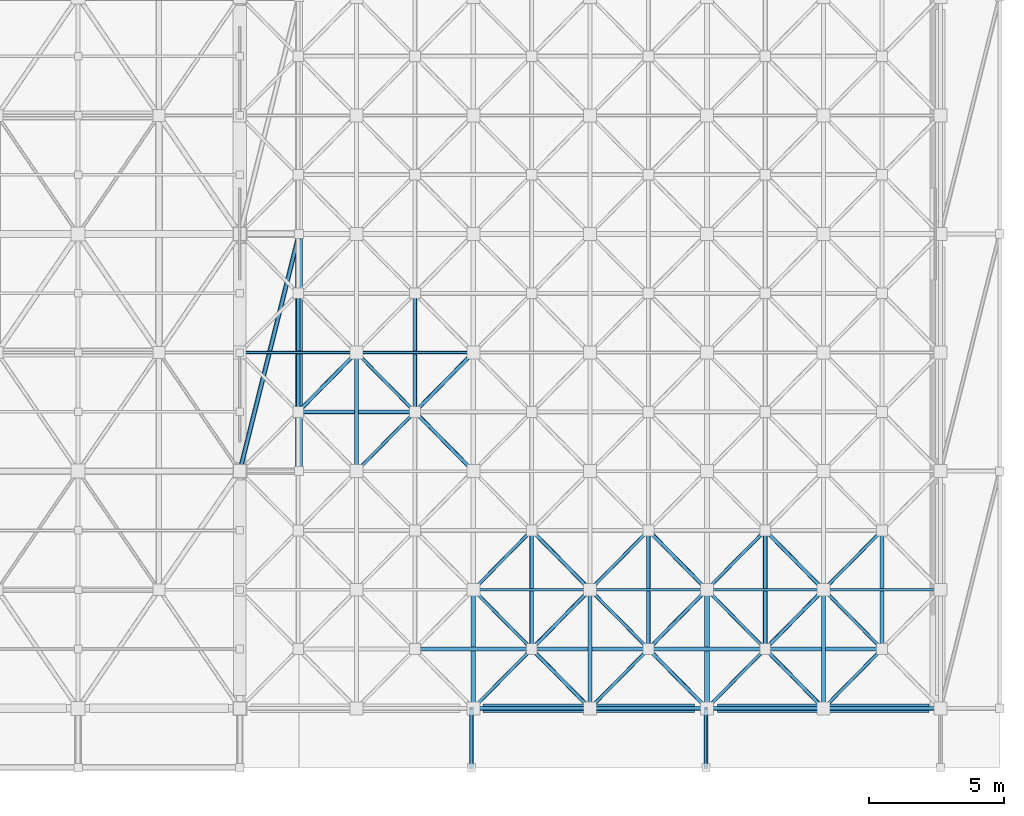
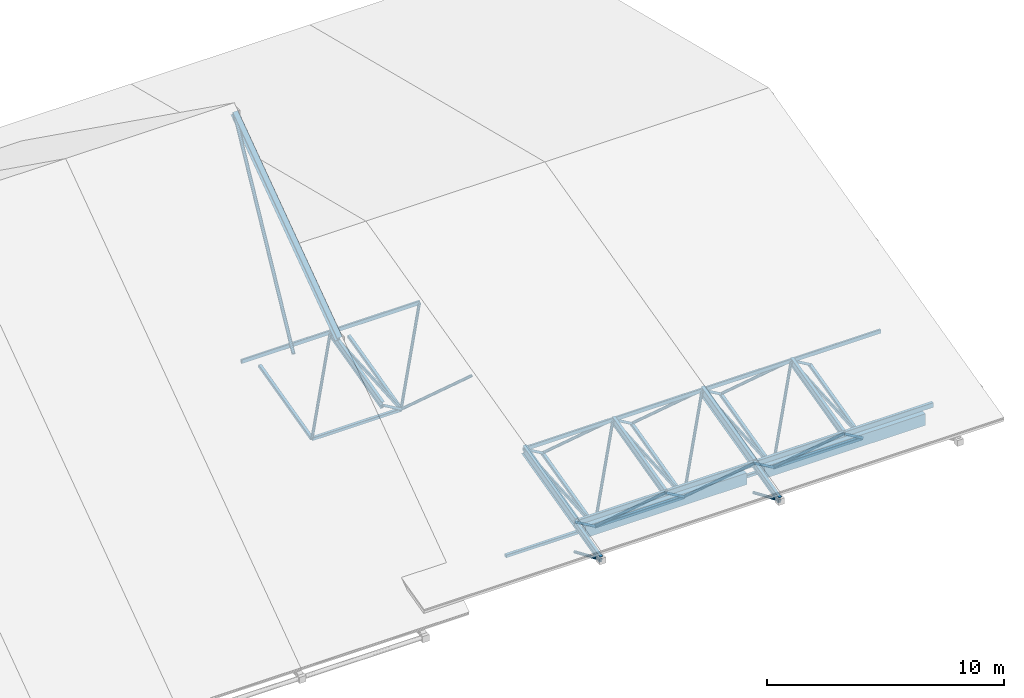
# One storey, part 26 of 55: 58 members, 2 beams.
"""IFC4 building model written with IfcOpenShell, lengths in metres."""

from ifc_helpers import new_model, si_unit, direction, frame, origin, origin_2d, place, context, subcontext, project, spatial, rectangle, hollow_rectangle, hollow_circle, i_section, extrude, material, material_profile, profile_set, type_object, element, save


model = new_model("IFC4")

# Units and contexts
model_context = context("Model", 3, precision=1e-05, world=origin(), true_north=direction((0.0, 1.0)))
body_context = subcontext(model_context, "Body", "Model", "MODEL_VIEW")
ifc_project = project(units=[si_unit("LENGTHUNIT", "METRE"), si_unit("AREAUNIT", "SQUARE_METRE"), si_unit("VOLUMEUNIT", "CUBIC_METRE"), si_unit("PLANEANGLEUNIT", "RADIAN"), si_unit("MASSUNIT", "GRAM", prefix="KILO")], contexts=[model_context])

# Site, building, storey
site_placement = place(None, origin())
site = spatial("IfcSite", under=ifc_project, at=site_placement, CompositionType="ELEMENT")
building_placement = place(site_placement, origin())
building = spatial("IfcBuilding", under=site, at=building_placement, Name="Varnakota Cinema and Media Centre", CompositionType="ELEMENT")
storey_placement = place(building_placement, frame((0.0, 0.0, 15.60009765625)))
storey = spatial("IfcBuildingStorey", under=building, at=storey_placement, Name="L04", CompositionType="ELEMENT", Elevation=15.60009765625)

# Beams
ifc_material_1 = material(Name="Concrete M35", Category="concrete")
ifc_material_profile_1 = material_profile(ifc_material_1, rectangle(XDim=0.300048828125, YDim=0.60009765625, at=origin_2d()), Name="RCB 300x600")
ifc_profile_set_1 = profile_set([ifc_material_profile_1], Name="Concrete M35")
beam_type = type_object("IfcBeamType", Name="BM-SP-300x600", PredefinedType="SPANDREL", material=ifc_profile_set_1)
beam_1_placement = place(storey_placement, frame((144.02490234375, 0.0, -0.300048828125), z_axis=(1.0, 0.0, 0.0), x_axis=(0.0, 1.0, 0.0)))
element("IfcBeam", 1, at=beam_1_placement, inside=storey, type_object=beam_type, Name="L04 girder W-X/1", PredefinedType="SPANDREL", context=body_context, shape_type="SweptSolid", body=[
    extrude(rectangle(XDim=0.300048828125, YDim=0.60009765625, at=origin_2d()), origin(), (0.0, 0.0, 1.0), 7.85009765625),
])
beam_2_placement = place(storey_placement, frame((152.72509765625, 0.0, -0.300048828125), z_axis=(1.0, 0.0, 0.0), x_axis=(0.0, 1.0, 0.0)))
element("IfcBeam", 2, at=beam_2_placement, inside=storey, type_object=beam_type, Name="L04 girder X-Y/1", PredefinedType="SPANDREL", context=body_context, shape_type="SweptSolid", body=[
    extrude(rectangle(XDim=0.300048828125, YDim=0.60009765625, at=origin_2d()), origin(), (0.0, 0.0, 1.0), 7.849853515625),
])

# Members
ifc_material_2 = material(Name="Structural steel S355 (YSt 355)", Category="steel")
ifc_material_profile_2 = material_profile(ifc_material_2, hollow_circle(Radius=0.06982421875, WallThickness=0.006103515625, at=origin_2d()), Name="CHS 139.7x6.0")
ifc_profile_set_2 = profile_set([ifc_material_profile_2], Name="Structural steel S355 (YSt 355)")
member_type_1 = type_object("IfcMemberType", Name="MEM-ST-CHS139_7x6_0", PredefinedType="CHORD", material=ifc_profile_set_2)
member_1_placement = place(storey_placement, frame((137.166748046875, 11.0, 0.14990234375), z_axis=(0.471728090545, 0.479010798276, 0.740284582931), x_axis=(-0.712502351494, 0.701669722246, 0.0)))
element("IfcMember", 3, at=member_1_placement, inside=storey, type_object=member_type_1, Name="V2 space-truss diagonal 1.3.4", PredefinedType="CHORD", context=body_context, shape_type="SweptSolid", body=[
    extrude(hollow_circle(Radius=0.06982421875, WallThickness=0.006103515625, at=origin_2d()), origin(), (0.0, 0.0, 1.0), 4.5927734375),
])
member_2_placement = place(storey_placement, frame((141.5, 11.0, 0.14990234375), z_axis=(0.562747911139, -0.571371428425, 0.597368796714), x_axis=(0.712462822052, 0.701709859695, 0.0)))
element("IfcMember", 4, at=member_2_placement, inside=storey, type_object=member_type_1, Name="V2 space-truss diagonal 2.3.2", PredefinedType="CHORD", context=body_context, shape_type="SweptSolid", body=[
    extrude(hollow_circle(Radius=0.06982421875, WallThickness=0.006103515625, at=origin_2d()), origin(), (0.0, 0.0, 1.0), 3.850341796875),
])
member_3_placement = place(storey_placement, frame((141.5, 11.0, 0.14990234375), z_axis=(0.47176941823, 0.478998786216, 0.74026601896), x_axis=(-0.712462822052, 0.701709859695, 0.0)))
element("IfcMember", 5, at=member_3_placement, inside=storey, type_object=member_type_1, Name="V2 space-truss diagonal 2.3.4", PredefinedType="CHORD", context=body_context, shape_type="SweptSolid", body=[
    extrude(hollow_circle(Radius=0.06982421875, WallThickness=0.006103515625, at=origin_2d()), origin(), (0.0, 0.0, 1.0), 4.5927734375),
])
member_4_placement = place(storey_placement, frame((145.833251953125, 2.199951171875, -2.050048828125), z_axis=(0.562747911139, -0.571371428425, 0.597368796714), x_axis=(0.712462822052, 0.701709859695, 0.0)))
element("IfcMember", 6, at=member_4_placement, inside=storey, type_object=member_type_1, Name="V2 space-truss diagonal 3.1.2", PredefinedType="CHORD", context=body_context, shape_type="SweptSolid", body=[
    extrude(hollow_circle(Radius=0.06982421875, WallThickness=0.006103515625, at=origin_2d()), origin(), (0.0, 0.0, 1.0), 3.850341796875),
])
member_5_placement = place(storey_placement, frame((145.833251953125, 2.199951171875, -2.050048828125), z_axis=(0.47176941823, 0.478998786216, 0.74026601896), x_axis=(-0.712462822052, 0.701709859695, 0.0)))
element("IfcMember", 7, at=member_5_placement, inside=storey, type_object=member_type_1, Name="V2 space-truss diagonal 3.1.4", PredefinedType="CHORD", context=body_context, shape_type="SweptSolid", body=[
    extrude(hollow_circle(Radius=0.06982421875, WallThickness=0.006103515625, at=origin_2d()), origin(), (0.0, 0.0, 1.0), 4.5927734375),
])
member_6_placement = place(storey_placement, frame((145.833251953125, 6.60009765625, -0.9501953125), z_axis=(0.56272752296, -0.571414133737, 0.597347154232), x_axis=(0.712501750553, 0.701670332463, 0.0)))
element("IfcMember", 8, at=member_6_placement, inside=storey, type_object=member_type_1, Name="V2 space-truss diagonal 3.2.2", PredefinedType="CHORD", context=body_context, shape_type="SweptSolid", body=[
    extrude(hollow_circle(Radius=0.06982421875, WallThickness=0.006103515625, at=origin_2d()), origin(), (0.0, 0.0, 1.0), 3.850341796875),
])
member_7_placement = place(storey_placement, frame((150.166748046875, 2.199951171875, -2.050048828125), z_axis=(0.562704581049, -0.571391816523, 0.59739011247), x_axis=(0.712502351494, 0.701669722246, 0.0)))
element("IfcMember", 9, at=member_7_placement, inside=storey, type_object=member_type_1, Name="V2 space-truss diagonal 4.1.2", PredefinedType="CHORD", context=body_context, shape_type="SweptSolid", body=[
    extrude(hollow_circle(Radius=0.06982421875, WallThickness=0.006103515625, at=origin_2d()), origin(), (0.0, 0.0, 1.0), 3.85009765625),
])
member_8_placement = place(storey_placement, frame((150.166748046875, 2.199951171875, -2.050048828125), z_axis=(0.471728090545, 0.479010798276, 0.740284582931), x_axis=(-0.712502351494, 0.701669722246, 0.0)))
element("IfcMember", 10, at=member_8_placement, inside=storey, type_object=member_type_1, Name="V2 space-truss diagonal 4.1.4", PredefinedType="CHORD", context=body_context, shape_type="SweptSolid", body=[
    extrude(hollow_circle(Radius=0.06982421875, WallThickness=0.006103515625, at=origin_2d()), origin(), (0.0, 0.0, 1.0), 4.5927734375),
])
for number, where, z_axis, x_axis, name in (
    (11, (150.166748046875, 6.60009765625, -0.9501953125), (0.562684192985, -0.571434521882, 0.597368467671), (0.7125412777, 0.701630192889, 0.0), "V2 space-truss diagonal 4.2.2"),
    (12, (154.5, 2.199951171875, -2.050048828125), (0.562747911139, -0.571371428425, 0.597368796714), (0.712462822052, 0.701709859695, 0.0), "V2 space-truss diagonal 5.1.2"),
):
    element("IfcMember", number, at=place(storey_placement, frame(where, z_axis=z_axis, x_axis=x_axis)), inside=storey, type_object=member_type_1, Name=name, PredefinedType="CHORD", context=body_context, shape_type="SweptSolid", body=[
        extrude(hollow_circle(Radius=0.06982421875, WallThickness=0.006103515625, at=origin_2d()), origin(), (0.0, 0.0, 1.0), 3.850341796875),
    ])
member_9_placement = place(storey_placement, frame((154.5, 2.199951171875, -2.050048828125), z_axis=(0.47176941823, 0.478998786216, 0.74026601896), x_axis=(-0.712462822052, 0.701709859695, 0.0)))
element("IfcMember", 13, at=member_9_placement, inside=storey, type_object=member_type_1, Name="V2 space-truss diagonal 5.1.4", PredefinedType="CHORD", context=body_context, shape_type="SweptSolid", body=[
    extrude(hollow_circle(Radius=0.06982421875, WallThickness=0.006103515625, at=origin_2d()), origin(), (0.0, 0.0, 1.0), 4.5927734375),
])
member_10_placement = place(storey_placement, frame((154.5, 6.60009765625, -0.9501953125), z_axis=(0.56272752296, -0.571414133737, 0.597347154232), x_axis=(0.712501750553, 0.701670332463, 0.0)))
element("IfcMember", 14, at=member_10_placement, inside=storey, type_object=member_type_1, Name="V2 space-truss diagonal 5.2.2", PredefinedType="CHORD", context=body_context, shape_type="SweptSolid", body=[
    extrude(hollow_circle(Radius=0.06982421875, WallThickness=0.006103515625, at=origin_2d()), origin(), (0.0, 0.0, 1.0), 3.850341796875),
])
for number, where, z_axis, x_axis, name in (
    (15, (143.60009765625, 0.0, -1.25), (0.0, -0.918066567186, 0.396426258231), (1.0, 0.0, 0.0), "V2 S eave raking strut 1"),
    (16, (152.300048828125, 0.0, -1.25), (0.0, -0.918066567186, 0.396426258231), (1.0, 0.0, 0.0), "V2 S eave raking strut 2"),
):
    element("IfcMember", number, at=place(storey_placement, frame(where, z_axis=z_axis, x_axis=x_axis)), inside=storey, type_object=member_type_1, Name=name, PredefinedType="CHORD", context=body_context, shape_type="SweptSolid", body=[
        extrude(hollow_circle(Radius=0.06982421875, WallThickness=0.006103515625, at=origin_2d()), origin(), (0.0, 0.0, 1.0), 2.396240234375),
    ])
ifc_material_3 = material(Name="Structural steel S355 (YSt 355)", Category="steel")
ifc_material_profile_3 = material_profile(ifc_material_3, hollow_circle(Radius=0.084228515625, WallThickness=0.00634765625, at=origin_2d()), Name="CHS 168.3x6.3")
ifc_profile_set_3 = profile_set([ifc_material_profile_3], Name="Structural steel S355 (YSt 355)")
member_type_2 = type_object("IfcMemberType", Name="MEM-ST-CHS168_3x6_3", PredefinedType="BRACE", material=ifc_profile_set_3)
member_11_placement = place(storey_placement, frame((135.0, 8.800048828125, 6.599853515625), z_axis=(0.199197685045, 0.796812846238, 0.570446816401), x_axis=(-0.970144083348, 0.242529292136, 0.0)))
element("IfcMember", 17, at=member_11_placement, inside=storey, type_object=member_type_2, Name="V1 E gable space-frame diagonal 2", PredefinedType="BRACE", context=body_context, shape_type="SweptSolid", body=[
    extrude(hollow_circle(Radius=0.084228515625, WallThickness=0.00634765625, at=origin_2d()), origin(), (0.0, 0.0, 1.0), 11.0439453125),
])
ifc_material_4 = material(Name="Structural steel Grade 350 (E350)", Category="steel")
ifc_material_profile_4 = material_profile(ifc_material_4, i_section(OverallWidth=0.25, OverallDepth=0.300048828125, WebThickness=0.009521484375, FlangeThickness=0.010498046875, FilletRadius=0.010986328125, at=origin_2d()), Name="ISHB 300")
ifc_profile_set_4 = profile_set([ifc_material_profile_4], Name="Structural steel Grade 350 (E350)")
member_type_3 = type_object("IfcMemberType", Name="MEM-ST-ISHB300", PredefinedType="CHORD", material=ifc_profile_set_4)
member_12_placement = place(storey_placement, frame((137.199951171875, 8.800048828125, 6.599853515625), z_axis=(0.0, 0.813108079498, 0.582112747717), x_axis=(-1.0, 0.0, 0.0)))
element("IfcMember", 18, at=member_12_placement, inside=storey, type_object=member_type_3, Name="V1 E gable barge rafter 2", PredefinedType="CHORD", context=body_context, shape_type="SweptSolid", body=[
    extrude(i_section(OverallWidth=0.25, OverallDepth=0.300048828125, WebThickness=0.009521484375, FlangeThickness=0.010498046875, FilletRadius=0.010986328125, at=origin_2d()), origin(), (0.0, 0.0, 1.0), 10.82275390625),
])
ifc_material_5 = material(Name="Structural steel Grade 350 (E350)", Category="steel")
ifc_material_profile_5 = material_profile(ifc_material_5, i_section(OverallWidth=0.139892578125, OverallDepth=0.35009765625, WebThickness=0.008056640625, FlangeThickness=0.01416015625, FilletRadius=0.013916015625, at=origin_2d()), Name="ISMB 350")
ifc_profile_set_5 = profile_set([ifc_material_profile_5], Name="Structural steel Grade 350 (E350)")
member_type_4 = type_object("IfcMemberType", Name="MEM-ST-ISMB350", PredefinedType="RAFTER", material=ifc_profile_set_5)
for number, where, z_axis, x_axis, name in (
    (19, (143.60009765625, 0.0, 0.25), (0.0, -0.970136166796, -0.242560957029), (1.0, 0.0, 0.0), "V2 S eave overhang rafter 1"),
    (20, (152.300048828125, 0.0, 0.25), (0.0, -0.970136166796, -0.242560957029), (1.0, 0.0, 0.0), "V2 S eave overhang rafter 2"),
):
    element("IfcMember", number, at=place(storey_placement, frame(where, z_axis=z_axis, x_axis=x_axis)), inside=storey, type_object=member_type_4, Name=name, PredefinedType="RAFTER", context=body_context, shape_type="SweptSolid", body=[
        extrude(i_section(OverallWidth=0.139892578125, OverallDepth=0.35009765625, WebThickness=0.008056640625, FlangeThickness=0.01416015625, FilletRadius=0.013916015625, at=origin_2d()), origin(), (0.0, 0.0, 1.0), 2.267578125),
    ])
ifc_material_6 = material(Name="Structural steel Grade 350 (E350)", Category="steel")
ifc_material_profile_6 = material_profile(ifc_material_6, i_section(OverallWidth=0.139892578125, OverallDepth=0.39990234375, WebThickness=0.0087890625, FlangeThickness=0.01611328125, FilletRadius=0.013916015625, at=origin_2d()), Name="ISMB 400")
ifc_profile_set_6 = profile_set([ifc_material_profile_6], Name="Structural steel Grade 350 (E350)")
member_type_5 = type_object("IfcMemberType", Name="MEM-ST-ISMB400", PredefinedType="RAFTER", material=ifc_profile_set_6)
for number, where, z_axis, x_axis, name in (
    (21, (139.333251953125, 8.800048828125, 2.449951171875), (0.0, 0.970148832916, 0.242510292547), (-1.0, 0.0, 0.0), "V2 truss rafter 2.3"),
    (22, (148.0, 0.0, 0.25), (0.0, 0.970148832916, 0.242510292547), (-1.0, 0.0, 0.0), "V2 truss rafter 4.1"),
    (23, (156.666748046875, 0.0, 0.25), (0.0, 0.970148832916, 0.242510292547), (-1.0, 0.0, 0.0), "V2 truss rafter 6.1"),
):
    element("IfcMember", number, at=place(storey_placement, frame(where, z_axis=z_axis, x_axis=x_axis)), inside=storey, type_object=member_type_5, Name=name, PredefinedType="RAFTER", context=body_context, shape_type="SweptSolid", body=[
        extrude(i_section(OverallWidth=0.139892578125, OverallDepth=0.39990234375, WebThickness=0.0087890625, FlangeThickness=0.01611328125, FilletRadius=0.013916015625, at=origin_2d()), origin(), (0.0, 0.0, 1.0), 4.535400390625),
    ])
ifc_material_7 = material(Name="Structural steel Grade 350 (E350)", Category="steel")
ifc_material_profile_7 = material_profile(ifc_material_7, i_section(OverallWidth=0.179931640625, OverallDepth=0.5, WebThickness=0.01025390625, FlangeThickness=0.01708984375, FilletRadius=0.01708984375, at=origin_2d()), Name="ISMB 500")
ifc_profile_set_7 = profile_set([ifc_material_profile_7], Name="Structural steel Grade 350 (E350)")
member_type_6 = type_object("IfcMemberType", Name="MEM-ST-ISMB500", PredefinedType="RAFTER", material=ifc_profile_set_7)
for number, where, z_axis, x_axis, name in (
    (24, (143.666748046875, 0.0, 0.25), (0.0, 0.970148832916, 0.242510292547), (-1.0, 0.0, 0.0), "V2 truss rafter 3.1"),
    (25, (152.333251953125, 0.0, 0.25), (0.0, 0.970148832916, 0.242510292547), (-1.0, 0.0, 0.0), "V2 truss rafter 5.1"),
):
    element("IfcMember", number, at=place(storey_placement, frame(where, z_axis=z_axis, x_axis=x_axis)), inside=storey, type_object=member_type_6, Name=name, PredefinedType="RAFTER", context=body_context, shape_type="SweptSolid", body=[
        extrude(i_section(OverallWidth=0.179931640625, OverallDepth=0.5, WebThickness=0.01025390625, FlangeThickness=0.01708984375, FilletRadius=0.01708984375, at=origin_2d()), origin(), (0.0, 0.0, 1.0), 4.535400390625),
    ])
ifc_material_8 = material(Name="Structural steel S355 (YSt 355)", Category="steel")
ifc_material_profile_8 = material_profile(ifc_material_8, hollow_rectangle(XDim=0.10009765625, YDim=0.199951171875, WallThickness=0.006103515625, InnerFilletRadius=0.006103515625, OuterFilletRadius=0.011962890625, at=origin_2d()), Name="RHS 200x100x6")
ifc_profile_set_8 = profile_set([ifc_material_profile_8], Name="Structural steel S355 (YSt 355)")
member_type_7 = type_object("IfcMemberType", Name="MEM-ST-RHS200x100x6", PredefinedType="PURLIN", material=ifc_profile_set_8)
member_13_placement = place(storey_placement, frame((135.0, 13.199951171875, 3.5498046875), z_axis=(1.0, 0.0, 0.0), x_axis=(0.0, 1.0, 0.0)))
element("IfcMember", 26, at=member_13_placement, inside=storey, type_object=member_type_7, Name="V2 top chord 1.4", PredefinedType="PURLIN", context=body_context, shape_type="SweptSolid", body=[
    extrude(hollow_rectangle(XDim=0.10009765625, YDim=0.199951171875, WallThickness=0.006103515625, InnerFilletRadius=0.006103515625, OuterFilletRadius=0.011962890625, at=origin_2d()), origin(), (0.0, 0.0, 1.0), 4.333251953125),
])
member_14_placement = place(storey_placement, frame((139.333251953125, 13.199951171875, 3.5498046875), z_axis=(1.0, 0.0, 0.0), x_axis=(0.0, 1.0, 0.0)))
element("IfcMember", 27, at=member_14_placement, inside=storey, type_object=member_type_7, Name="V2 top chord 2.4", PredefinedType="PURLIN", context=body_context, shape_type="SweptSolid", body=[
    extrude(hollow_rectangle(XDim=0.10009765625, YDim=0.199951171875, WallThickness=0.006103515625, InnerFilletRadius=0.006103515625, OuterFilletRadius=0.011962890625, at=origin_2d()), origin(), (0.0, 0.0, 1.0), 4.33349609375),
])
for number, where, z_axis, x_axis, name in (
    (28, (143.666748046875, 4.39990234375, 1.349853515625), (1.0, 0.0, 0.0), (0.0, 1.0, 0.0), "V2 top chord 3.2"),
    (29, (148.0, 4.39990234375, 1.349853515625), (1.0, 0.0, 0.0), (0.0, 1.0, 0.0), "V2 top chord 4.2"),
):
    element("IfcMember", number, at=place(storey_placement, frame(where, z_axis=z_axis, x_axis=x_axis)), inside=storey, type_object=member_type_7, Name=name, PredefinedType="PURLIN", context=body_context, shape_type="SweptSolid", body=[
        extrude(hollow_rectangle(XDim=0.10009765625, YDim=0.199951171875, WallThickness=0.006103515625, InnerFilletRadius=0.006103515625, OuterFilletRadius=0.011962890625, at=origin_2d()), origin(), (0.0, 0.0, 1.0), 4.333251953125),
    ])
member_15_placement = place(storey_placement, frame((152.333251953125, 4.39990234375, 1.349853515625), z_axis=(1.0, 0.0, 0.0), x_axis=(0.0, 1.0, 0.0)))
element("IfcMember", 30, at=member_15_placement, inside=storey, type_object=member_type_7, Name="V2 top chord 5.2", PredefinedType="PURLIN", context=body_context, shape_type="SweptSolid", body=[
    extrude(hollow_rectangle(XDim=0.10009765625, YDim=0.199951171875, WallThickness=0.006103515625, InnerFilletRadius=0.006103515625, OuterFilletRadius=0.011962890625, at=origin_2d()), origin(), (0.0, 0.0, 1.0), 4.33349609375),
])
member_16_placement = place(storey_placement, frame((156.666748046875, 4.39990234375, 1.349853515625), z_axis=(1.0, 0.0, 0.0), x_axis=(0.0, 1.0, 0.0)))
element("IfcMember", 31, at=member_16_placement, inside=storey, type_object=member_type_7, Name="V2 top chord 6.2", PredefinedType="PURLIN", context=body_context, shape_type="SweptSolid", body=[
    extrude(hollow_rectangle(XDim=0.10009765625, YDim=0.199951171875, WallThickness=0.006103515625, InnerFilletRadius=0.006103515625, OuterFilletRadius=0.011962890625, at=origin_2d()), origin(), (0.0, 0.0, 1.0), 4.333251953125),
])
ifc_material_9 = material(Name="Structural steel S355 (YSt 355)", Category="steel")
ifc_material_profile_9 = material_profile(ifc_material_9, hollow_rectangle(XDim=0.14990234375, YDim=0.25, WallThickness=0.008056640625, InnerFilletRadius=0.008056640625, OuterFilletRadius=0.01611328125, at=origin_2d()), Name="RHS 250x150x8")
ifc_profile_set_9 = profile_set([ifc_material_profile_9], Name="Structural steel S355 (YSt 355)")
member_type_8 = type_object("IfcMemberType", Name="MEM-ST-RHS250x150x8", PredefinedType="PURLIN", material=ifc_profile_set_9)
for number, where, z_axis, x_axis, name in (
    (32, (143.666748046875, 0.0, 0.25), (1.0, 0.0, 0.0), (0.0, 1.0, 0.0), "V2 top chord 3.1"),
    (33, (148.0, 0.0, 0.25), (1.0, 0.0, 0.0), (0.0, 1.0, 0.0), "V2 top chord 4.1"),
):
    element("IfcMember", number, at=place(storey_placement, frame(where, z_axis=z_axis, x_axis=x_axis)), inside=storey, type_object=member_type_8, Name=name, PredefinedType="PURLIN", context=body_context, shape_type="SweptSolid", body=[
        extrude(hollow_rectangle(XDim=0.14990234375, YDim=0.25, WallThickness=0.008056640625, InnerFilletRadius=0.008056640625, OuterFilletRadius=0.01611328125, at=origin_2d()), origin(), (0.0, 0.0, 1.0), 4.333251953125),
    ])
member_17_placement = place(storey_placement, frame((152.333251953125, 0.0, 0.25), z_axis=(1.0, 0.0, 0.0), x_axis=(0.0, 1.0, 0.0)))
element("IfcMember", 34, at=member_17_placement, inside=storey, type_object=member_type_8, Name="V2 top chord 5.1", PredefinedType="PURLIN", context=body_context, shape_type="SweptSolid", body=[
    extrude(hollow_rectangle(XDim=0.14990234375, YDim=0.25, WallThickness=0.008056640625, InnerFilletRadius=0.008056640625, OuterFilletRadius=0.01611328125, at=origin_2d()), origin(), (0.0, 0.0, 1.0), 4.33349609375),
])
member_18_placement = place(storey_placement, frame((156.666748046875, 0.0, 0.25), z_axis=(1.0, 0.0, 0.0), x_axis=(0.0, 1.0, 0.0)))
element("IfcMember", 35, at=member_18_placement, inside=storey, type_object=member_type_8, Name="V2 top chord 6.1", PredefinedType="PURLIN", context=body_context, shape_type="SweptSolid", body=[
    extrude(hollow_rectangle(XDim=0.14990234375, YDim=0.25, WallThickness=0.008056640625, InnerFilletRadius=0.008056640625, OuterFilletRadius=0.01611328125, at=origin_2d()), origin(), (0.0, 0.0, 1.0), 4.333251953125),
])
ifc_material_10 = material(Name="Structural steel S355 (YSt 355)", Category="steel")
ifc_material_profile_10 = material_profile(ifc_material_10, hollow_rectangle(XDim=0.1201171875, YDim=0.1201171875, WallThickness=0.006103515625, InnerFilletRadius=0.006103515625, OuterFilletRadius=0.011962890625, at=origin_2d()), Name="SHS 120x120x6")
ifc_profile_set_10 = profile_set([ifc_material_profile_10], Name="Structural steel S355 (YSt 355)")
member_type_9 = type_object("IfcMemberType", Name="MEM-ST-SHS120x120x6", PredefinedType="STRUT", material=ifc_profile_set_10)
member_19_placement = place(storey_placement, frame((141.5, 11.0, 0.14990234375), z_axis=(-0.562747911139, -0.571371428425, 0.597368796714), x_axis=(0.712462822052, -0.701709859695, 0.0)))
element("IfcMember", 36, at=member_19_placement, inside=storey, type_object=member_type_9, Name="V2 space-truss diagonal 2.3.1", PredefinedType="STRUT", context=body_context, shape_type="SweptSolid", body=[
    extrude(hollow_rectangle(XDim=0.1201171875, YDim=0.1201171875, WallThickness=0.006103515625, InnerFilletRadius=0.006103515625, OuterFilletRadius=0.011962890625, at=origin_2d()), origin(), (0.0, 0.0, 1.0), 3.850341796875),
])
member_20_placement = place(storey_placement, frame((141.5, 11.0, 0.14990234375), z_axis=(-0.47176941823, 0.478998786216, 0.74026601896), x_axis=(-0.712462822052, -0.701709859695, 0.0)))
element("IfcMember", 37, at=member_20_placement, inside=storey, type_object=member_type_9, Name="V2 space-truss diagonal 2.3.3", PredefinedType="STRUT", context=body_context, shape_type="SweptSolid", body=[
    extrude(hollow_rectangle(XDim=0.1201171875, YDim=0.1201171875, WallThickness=0.006103515625, InnerFilletRadius=0.006103515625, OuterFilletRadius=0.011962890625, at=origin_2d()), origin(), (0.0, 0.0, 1.0), 4.5927734375),
])
member_21_placement = place(storey_placement, frame((145.833251953125, 2.199951171875, -2.050048828125), z_axis=(-0.562704581049, -0.571391816523, 0.59739011247), x_axis=(0.712502351494, -0.701669722246, 0.0)))
element("IfcMember", 38, at=member_21_placement, inside=storey, type_object=member_type_9, Name="V2 space-truss diagonal 3.1.1", PredefinedType="STRUT", context=body_context, shape_type="SweptSolid", body=[
    extrude(hollow_rectangle(XDim=0.1201171875, YDim=0.1201171875, WallThickness=0.006103515625, InnerFilletRadius=0.006103515625, OuterFilletRadius=0.011962890625, at=origin_2d()), origin(), (0.0, 0.0, 1.0), 3.85009765625),
])
member_22_placement = place(storey_placement, frame((145.833251953125, 2.199951171875, -2.050048828125), z_axis=(-0.471728090545, 0.479010798276, 0.740284582931), x_axis=(-0.712502351494, -0.701669722246, 0.0)))
element("IfcMember", 39, at=member_22_placement, inside=storey, type_object=member_type_9, Name="V2 space-truss diagonal 3.1.3", PredefinedType="STRUT", context=body_context, shape_type="SweptSolid", body=[
    extrude(hollow_rectangle(XDim=0.1201171875, YDim=0.1201171875, WallThickness=0.006103515625, InnerFilletRadius=0.006103515625, OuterFilletRadius=0.011962890625, at=origin_2d()), origin(), (0.0, 0.0, 1.0), 4.5927734375),
])
for number, where, z_axis, x_axis, name in (
    (40, (145.833251953125, 6.60009765625, -0.9501953125), (-0.562684192985, -0.571434521882, 0.597368467671), (0.7125412777, -0.701630192889, 0.0), "V2 space-truss diagonal 3.2.1"),
    (41, (150.166748046875, 2.199951171875, -2.050048828125), (-0.562747911139, -0.571371428425, 0.597368796714), (0.712462822052, -0.701709859695, 0.0), "V2 space-truss diagonal 4.1.1"),
):
    element("IfcMember", number, at=place(storey_placement, frame(where, z_axis=z_axis, x_axis=x_axis)), inside=storey, type_object=member_type_9, Name=name, PredefinedType="STRUT", context=body_context, shape_type="SweptSolid", body=[
        extrude(hollow_rectangle(XDim=0.1201171875, YDim=0.1201171875, WallThickness=0.006103515625, InnerFilletRadius=0.006103515625, OuterFilletRadius=0.011962890625, at=origin_2d()), origin(), (0.0, 0.0, 1.0), 3.850341796875),
    ])
member_23_placement = place(storey_placement, frame((150.166748046875, 2.199951171875, -2.050048828125), z_axis=(-0.47176941823, 0.478998786216, 0.74026601896), x_axis=(-0.712462822052, -0.701709859695, 0.0)))
element("IfcMember", 42, at=member_23_placement, inside=storey, type_object=member_type_9, Name="V2 space-truss diagonal 4.1.3", PredefinedType="STRUT", context=body_context, shape_type="SweptSolid", body=[
    extrude(hollow_rectangle(XDim=0.1201171875, YDim=0.1201171875, WallThickness=0.006103515625, InnerFilletRadius=0.006103515625, OuterFilletRadius=0.011962890625, at=origin_2d()), origin(), (0.0, 0.0, 1.0), 4.5927734375),
])
for number, where, z_axis, x_axis, name in (
    (43, (150.166748046875, 6.60009765625, -0.9501953125), (-0.56272752296, -0.571414133737, 0.597347154232), (0.712501750553, -0.701670332463, 0.0), "V2 space-truss diagonal 4.2.1"),
    (44, (154.5, 2.199951171875, -2.050048828125), (-0.562747911139, -0.571371428425, 0.597368796714), (0.712462822052, -0.701709859695, 0.0), "V2 space-truss diagonal 5.1.1"),
):
    element("IfcMember", number, at=place(storey_placement, frame(where, z_axis=z_axis, x_axis=x_axis)), inside=storey, type_object=member_type_9, Name=name, PredefinedType="STRUT", context=body_context, shape_type="SweptSolid", body=[
        extrude(hollow_rectangle(XDim=0.1201171875, YDim=0.1201171875, WallThickness=0.006103515625, InnerFilletRadius=0.006103515625, OuterFilletRadius=0.011962890625, at=origin_2d()), origin(), (0.0, 0.0, 1.0), 3.850341796875),
    ])
member_24_placement = place(storey_placement, frame((154.5, 2.199951171875, -2.050048828125), z_axis=(-0.47176941823, 0.478998786216, 0.74026601896), x_axis=(-0.712462822052, -0.701709859695, 0.0)))
element("IfcMember", 45, at=member_24_placement, inside=storey, type_object=member_type_9, Name="V2 space-truss diagonal 5.1.3", PredefinedType="STRUT", context=body_context, shape_type="SweptSolid", body=[
    extrude(hollow_rectangle(XDim=0.1201171875, YDim=0.1201171875, WallThickness=0.006103515625, InnerFilletRadius=0.006103515625, OuterFilletRadius=0.011962890625, at=origin_2d()), origin(), (0.0, 0.0, 1.0), 4.5927734375),
])
member_25_placement = place(storey_placement, frame((154.5, 6.60009765625, -0.9501953125), z_axis=(-0.56272752296, -0.571414133737, 0.597347154232), x_axis=(0.712501750553, -0.701670332463, 0.0)))
element("IfcMember", 46, at=member_25_placement, inside=storey, type_object=member_type_9, Name="V2 space-truss diagonal 5.2.1", PredefinedType="STRUT", context=body_context, shape_type="SweptSolid", body=[
    extrude(hollow_rectangle(XDim=0.1201171875, YDim=0.1201171875, WallThickness=0.006103515625, InnerFilletRadius=0.006103515625, OuterFilletRadius=0.011962890625, at=origin_2d()), origin(), (0.0, 0.0, 1.0), 3.850341796875),
])
member_26_placement = place(storey_placement, frame((158.833251953125, 2.199951171875, -2.050048828125), z_axis=(-0.562704581049, -0.571391816523, 0.59739011247), x_axis=(0.712502351494, -0.701669722246, 0.0)))
element("IfcMember", 47, at=member_26_placement, inside=storey, type_object=member_type_9, Name="V2 space-truss diagonal 6.1.1", PredefinedType="STRUT", context=body_context, shape_type="SweptSolid", body=[
    extrude(hollow_rectangle(XDim=0.1201171875, YDim=0.1201171875, WallThickness=0.006103515625, InnerFilletRadius=0.006103515625, OuterFilletRadius=0.011962890625, at=origin_2d()), origin(), (0.0, 0.0, 1.0), 3.85009765625),
])
member_27_placement = place(storey_placement, frame((158.833251953125, 2.199951171875, -2.050048828125), z_axis=(-0.471728090545, 0.479010798276, 0.740284582931), x_axis=(-0.712502351494, -0.701669722246, 0.0)))
element("IfcMember", 48, at=member_27_placement, inside=storey, type_object=member_type_9, Name="V2 space-truss diagonal 6.1.3", PredefinedType="STRUT", context=body_context, shape_type="SweptSolid", body=[
    extrude(hollow_rectangle(XDim=0.1201171875, YDim=0.1201171875, WallThickness=0.006103515625, InnerFilletRadius=0.006103515625, OuterFilletRadius=0.011962890625, at=origin_2d()), origin(), (0.0, 0.0, 1.0), 4.5927734375),
])
member_28_placement = place(storey_placement, frame((158.833251953125, 6.60009765625, -0.9501953125), z_axis=(-0.562684192985, -0.571434521882, 0.597368467671), x_axis=(0.7125412777, -0.701630192889, 0.0)))
element("IfcMember", 49, at=member_28_placement, inside=storey, type_object=member_type_9, Name="V2 space-truss diagonal 6.2.1", PredefinedType="STRUT", context=body_context, shape_type="SweptSolid", body=[
    extrude(hollow_rectangle(XDim=0.1201171875, YDim=0.1201171875, WallThickness=0.006103515625, InnerFilletRadius=0.006103515625, OuterFilletRadius=0.011962890625, at=origin_2d()), origin(), (0.0, 0.0, 1.0), 3.850341796875),
])
ifc_material_11 = material(Name="Structural steel S355 (YSt 355)", Category="steel")
ifc_material_profile_11 = material_profile(ifc_material_11, hollow_rectangle(XDim=0.14990234375, YDim=0.14990234375, WallThickness=0.008056640625, InnerFilletRadius=0.008056640625, OuterFilletRadius=0.01611328125, at=origin_2d()), Name="SHS 150x150x8")
ifc_profile_set_11 = profile_set([ifc_material_profile_11], Name="Structural steel S355 (YSt 355)")
member_type_10 = type_object("IfcMemberType", Name="MEM-ST-SHS150x150x8", PredefinedType="STRUT", material=ifc_profile_set_11)
for number, where, z_axis, x_axis, name in (
    (50, (137.166748046875, 11.0, 0.14990234375), (1.0, 0.0, 0.0), (0.0, 1.0, 0.0), "V2 bottom longitudinal chord 1.3"),
    (51, (141.5, 2.199951171875, -2.050048828125), (1.0, 0.0, 0.0), (0.0, 1.0, 0.0), "V2 bottom longitudinal chord 2.1"),
):
    element("IfcMember", number, at=place(storey_placement, frame(where, z_axis=z_axis, x_axis=x_axis)), inside=storey, type_object=member_type_10, Name=name, PredefinedType="STRUT", context=body_context, shape_type="SweptSolid", body=[
        extrude(hollow_rectangle(XDim=0.14990234375, YDim=0.14990234375, WallThickness=0.008056640625, InnerFilletRadius=0.008056640625, OuterFilletRadius=0.01611328125, at=origin_2d()), origin(), (0.0, 0.0, 1.0), 4.333251953125),
    ])
member_29_placement = place(storey_placement, frame((145.833251953125, 2.199951171875, -2.050048828125), z_axis=(1.0, 0.0, 0.0), x_axis=(0.0, 1.0, 0.0)))
element("IfcMember", 52, at=member_29_placement, inside=storey, type_object=member_type_10, Name="V2 bottom longitudinal chord 3.1", PredefinedType="STRUT", context=body_context, shape_type="SweptSolid", body=[
    extrude(hollow_rectangle(XDim=0.14990234375, YDim=0.14990234375, WallThickness=0.008056640625, InnerFilletRadius=0.008056640625, OuterFilletRadius=0.01611328125, at=origin_2d()), origin(), (0.0, 0.0, 1.0), 4.33349609375),
])
for number, where, z_axis, x_axis, name in (
    (53, (150.166748046875, 2.199951171875, -2.050048828125), (1.0, 0.0, 0.0), (0.0, 1.0, 0.0), "V2 bottom longitudinal chord 4.1"),
    (54, (154.5, 2.199951171875, -2.050048828125), (1.0, 0.0, 0.0), (0.0, 1.0, 0.0), "V2 bottom longitudinal chord 5.1"),
):
    element("IfcMember", number, at=place(storey_placement, frame(where, z_axis=z_axis, x_axis=x_axis)), inside=storey, type_object=member_type_10, Name=name, PredefinedType="STRUT", context=body_context, shape_type="SweptSolid", body=[
        extrude(hollow_rectangle(XDim=0.14990234375, YDim=0.14990234375, WallThickness=0.008056640625, InnerFilletRadius=0.008056640625, OuterFilletRadius=0.01611328125, at=origin_2d()), origin(), (0.0, 0.0, 1.0), 4.333251953125),
    ])
for number, where, z_axis, x_axis, name in (
    (55, (137.166748046875, 11.0, 0.14990234375), (0.0, 0.970136166796, 0.242560957029), (-1.0, 0.0, 0.0), "V2 bottom transverse chord 1.3"),
    (56, (141.5, 11.0, 0.14990234375), (0.0, 0.970136166796, 0.242560957029), (-1.0, 0.0, 0.0), "V2 bottom transverse chord 2.3"),
):
    element("IfcMember", number, at=place(storey_placement, frame(where, z_axis=z_axis, x_axis=x_axis)), inside=storey, type_object=member_type_10, Name=name, PredefinedType="STRUT", context=body_context, shape_type="SweptSolid", body=[
        extrude(hollow_rectangle(XDim=0.14990234375, YDim=0.14990234375, WallThickness=0.008056640625, InnerFilletRadius=0.008056640625, OuterFilletRadius=0.01611328125, at=origin_2d()), origin(), (0.0, 0.0, 1.0), 4.535400390625),
    ])
for number, where, z_axis, x_axis, name in (
    (57, (145.833251953125, 2.199951171875, -2.050048828125), (0.0, 0.970151998558, 0.242497628225), (-1.0, 0.0, 0.0), "V2 bottom transverse chord 3.1"),
    (58, (150.166748046875, 2.199951171875, -2.050048828125), (0.0, 0.970151998558, 0.242497628225), (-1.0, 0.0, 0.0), "V2 bottom transverse chord 4.1"),
    (59, (154.5, 2.199951171875, -2.050048828125), (0.0, 0.970151998558, 0.242497628225), (-1.0, 0.0, 0.0), "V2 bottom transverse chord 5.1"),
    (60, (158.833251953125, 2.199951171875, -2.050048828125), (0.0, 0.970151998558, 0.242497628225), (-1.0, 0.0, 0.0), "V2 bottom transverse chord 6.1"),
):
    element("IfcMember", number, at=place(storey_placement, frame(where, z_axis=z_axis, x_axis=x_axis)), inside=storey, type_object=member_type_10, Name=name, PredefinedType="STRUT", context=body_context, shape_type="SweptSolid", body=[
        extrude(hollow_rectangle(XDim=0.14990234375, YDim=0.14990234375, WallThickness=0.008056640625, InnerFilletRadius=0.008056640625, OuterFilletRadius=0.01611328125, at=origin_2d()), origin(), (0.0, 0.0, 1.0), 4.53564453125),
    ])

save(model, "model.ifc")
